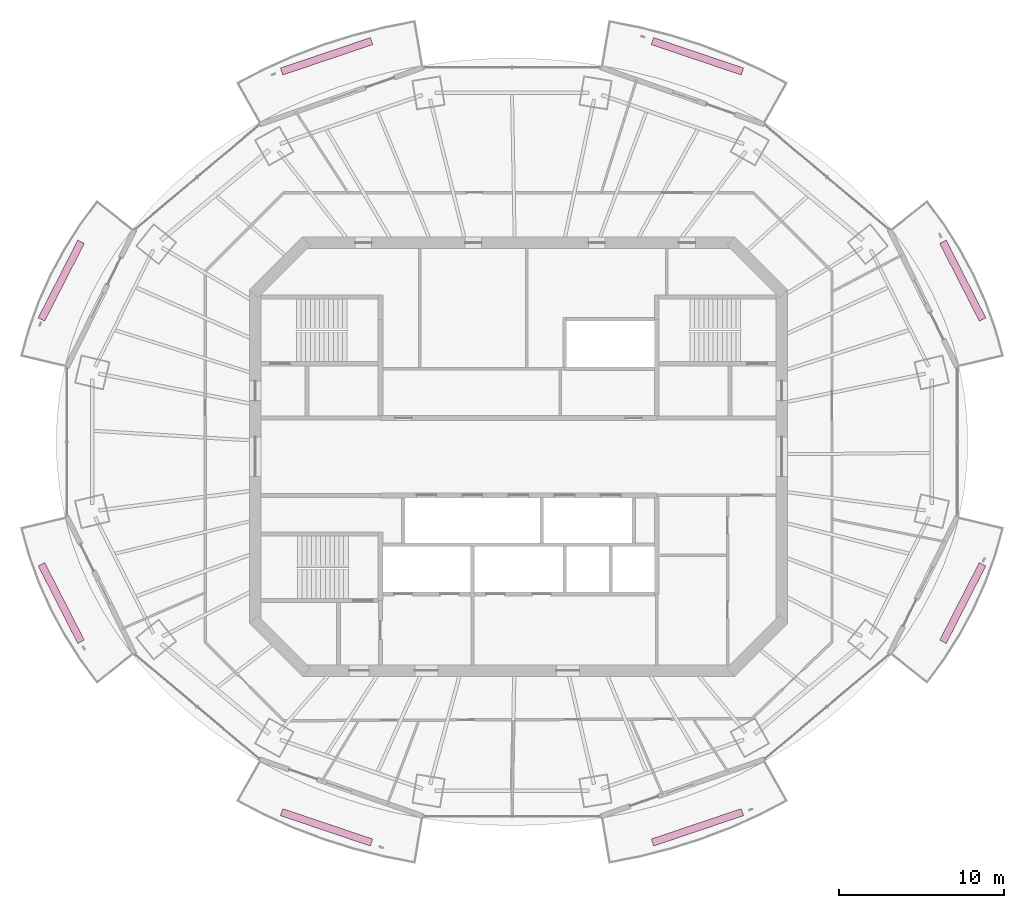
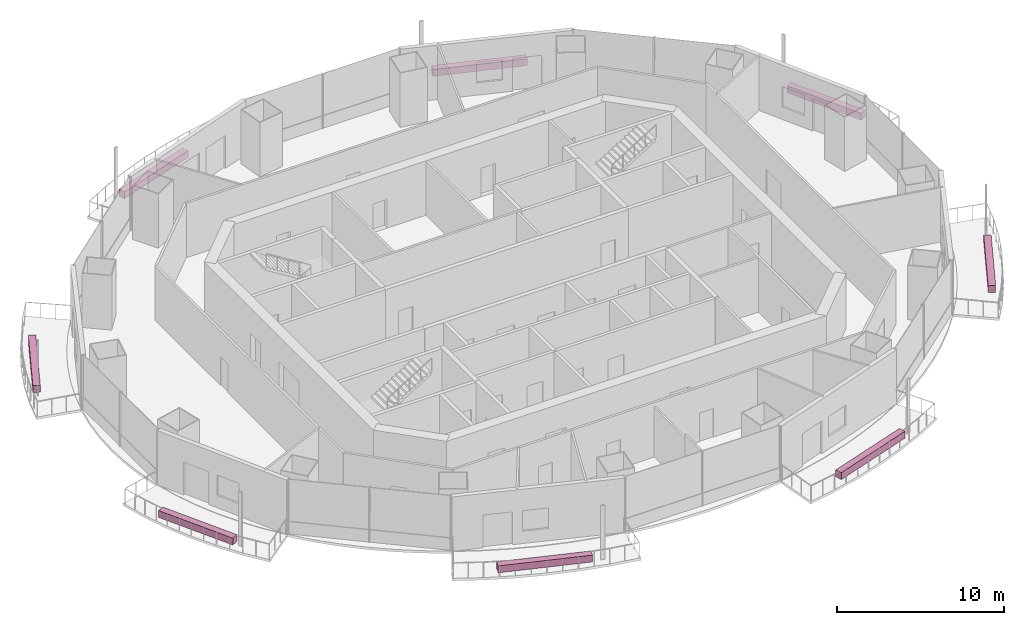
# One storey, part 16 of 16: 8 furnishings.
"""IFC4 building model written with IfcOpenShell, lengths in metres."""

from ifc_helpers import new_model, si_unit, direction, frame, origin, origin_2d, place, context, subcontext, project, spatial, rectangle, extrude, material, type_object, element, save


model = new_model("IFC4")

# Units and contexts
model_context = context("Model", 3, precision=1e-05, world=origin(), true_north=direction((0.0, 1.0)))
body_context = subcontext(model_context, "Body", "Model", "MODEL_VIEW")
ifc_project = project(units=[si_unit("LENGTHUNIT", "METRE"), si_unit("AREAUNIT", "SQUARE_METRE"), si_unit("VOLUMEUNIT", "CUBIC_METRE"), si_unit("PLANEANGLEUNIT", "RADIAN"), si_unit("MASSUNIT", "GRAM", prefix="KILO")], contexts=[model_context])

# Site, building, storey
site_placement = place(None, origin())
site = spatial("IfcSite", under=ifc_project, at=site_placement, CompositionType="ELEMENT")
building_placement = place(site_placement, origin())
building = spatial("IfcBuilding", under=site, at=building_placement, Name="Marenthal Gate Tower", CompositionType="ELEMENT")
storey_placement = place(building_placement, frame((0.0, 0.0, 330.14990234375)))
storey = spatial("IfcBuildingStorey", under=building, at=storey_placement, Name="L74", CompositionType="ELEMENT", Elevation=330.14990234375)

# Furnishings
ifc_material = material(Name="Planting soil and foliage", Category="planting")
furnishing_element_type = type_object("IfcFurnishingElementType", Name="Balcony PLANTER trough", material=ifc_material)
furnishing_1_placement = place(storey_placement, frame((26.997802734375, 10.697265625, -0.039794921875), z_axis=(0.0, 0.0, 1.0), x_axis=(-0.454443413742, 0.890775607943, 0.0)))
element("IfcFurnishingElement", 1, at=furnishing_1_placement, inside=storey, type_object=furnishing_element_type, Name="Balcony PLANTER L74 bay 1", ObjectType="PLANTER", context=body_context, shape_type="SweptSolid", body=[
    extrude(rectangle(XDim=5.29541015625, YDim=0.449951171875, at=origin_2d()), origin(), (0.0, 0.0, 1.0), 0.5),
])
for number, where, z_axis, x_axis, name in (
    (2, (10.869384765625, 24.33251953125, -0.039794921875), (0.0, 0.0, 1.0), (-0.947473106829, 0.319835444935, 0.0), "Balcony PLANTER L74 bay 3"),
    (3, (-11.669189453125, 24.33251953125, -0.039794921875), (0.0, 0.0, 1.0), (-0.947473106829, -0.319835444935, 0.0), "Balcony PLANTER L74 bay 5"),
):
    element("IfcFurnishingElement", number, at=place(storey_placement, frame(where, z_axis=z_axis, x_axis=x_axis)), inside=storey, type_object=furnishing_element_type, Name=name, ObjectType="PLANTER", context=body_context, shape_type="SweptSolid", body=[
        extrude(rectangle(XDim=5.7724609375, YDim=0.449951171875, at=origin_2d()), origin(), (0.0, 0.0, 1.0), 0.5),
    ])
for number, where, z_axis, x_axis, name in (
    (4, (-27.7978515625, 10.697265625, -0.039794921875), (0.0, 0.0, 1.0), (-0.454443413742, -0.890775607943, 0.0), "Balcony PLANTER L74 bay 7"),
    (5, (-27.7978515625, -8.897216796875, -0.039794921875), (0.0, 0.0, 1.0), (0.454443413742, -0.890775607943, 0.0), "Balcony PLANTER L74 bay 9"),
):
    element("IfcFurnishingElement", number, at=place(storey_placement, frame(where, z_axis=z_axis, x_axis=x_axis)), inside=storey, type_object=furnishing_element_type, Name=name, ObjectType="PLANTER", context=body_context, shape_type="SweptSolid", body=[
        extrude(rectangle(XDim=5.29541015625, YDim=0.449951171875, at=origin_2d()), origin(), (0.0, 0.0, 1.0), 0.5),
    ])
for number, where, z_axis, x_axis, name in (
    (6, (-11.669189453125, -22.532470703125, -0.039794921875), (0.0, 0.0, 1.0), (0.947473106829, -0.319835444935, 0.0), "Balcony PLANTER L74 bay 11"),
    (7, (10.869384765625, -22.532470703125, -0.039794921875), (0.0, 0.0, 1.0), (0.947473106829, 0.319835444935, 0.0), "Balcony PLANTER L74 bay 13"),
):
    element("IfcFurnishingElement", number, at=place(storey_placement, frame(where, z_axis=z_axis, x_axis=x_axis)), inside=storey, type_object=furnishing_element_type, Name=name, ObjectType="PLANTER", context=body_context, shape_type="SweptSolid", body=[
        extrude(rectangle(XDim=5.7724609375, YDim=0.449951171875, at=origin_2d()), origin(), (0.0, 0.0, 1.0), 0.5),
    ])
furnishing_2_placement = place(storey_placement, frame((26.997802734375, -8.897216796875, -0.039794921875), z_axis=(0.0, 0.0, 1.0), x_axis=(0.454443413742, 0.890775607943, 0.0)))
element("IfcFurnishingElement", 8, at=furnishing_2_placement, inside=storey, type_object=furnishing_element_type, Name="Balcony PLANTER L74 bay 15", ObjectType="PLANTER", context=body_context, shape_type="SweptSolid", body=[
    extrude(rectangle(XDim=5.29541015625, YDim=0.449951171875, at=origin_2d()), origin(), (0.0, 0.0, 1.0), 0.5),
])

save(model, "model.ifc")
